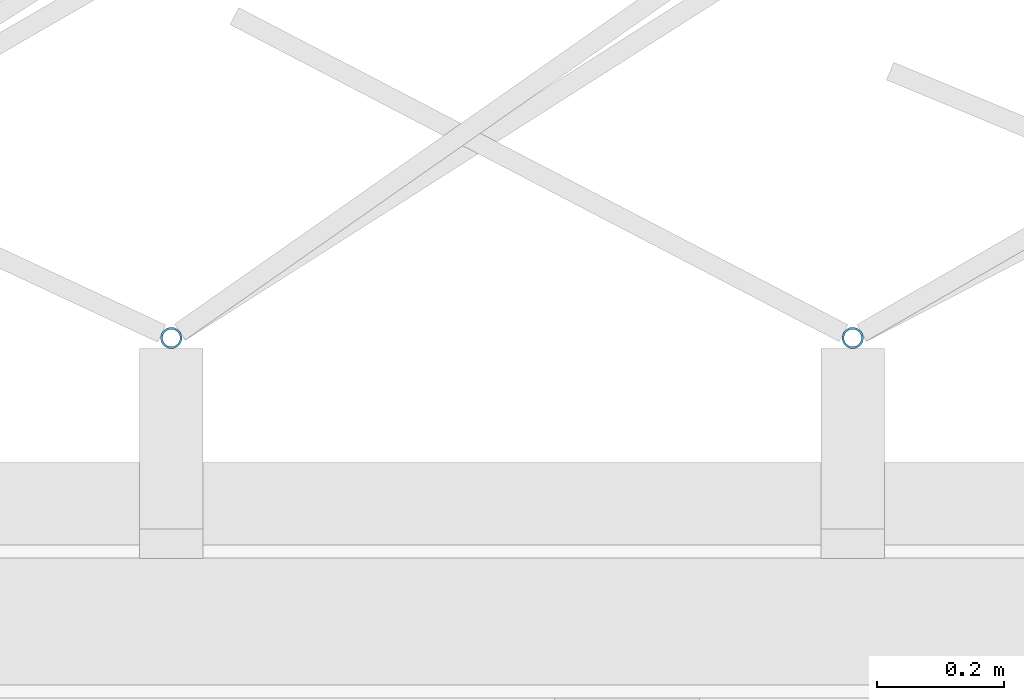
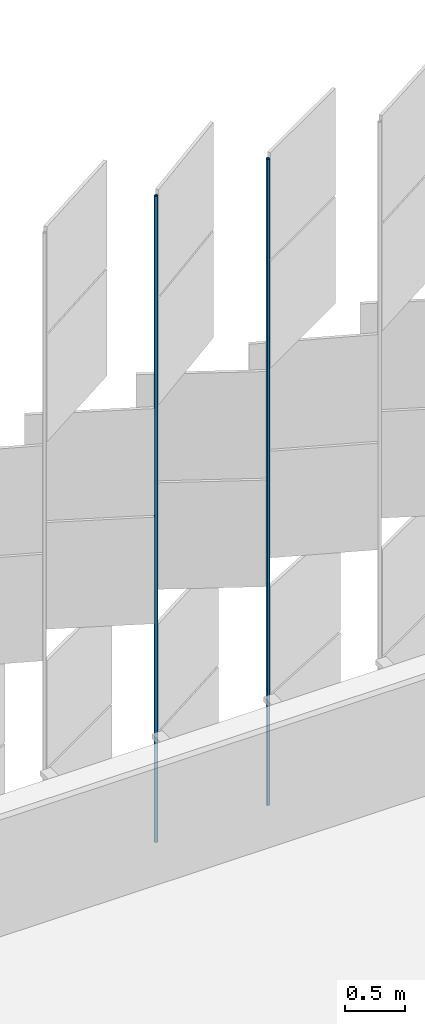
# One storey, part 364 of 483: 2 discrete accessories.
"""IFC4 building model written with IfcOpenShell, lengths in metres."""

from ifc_helpers import new_model, si_unit, direction, frame, origin, origin_2d, place, context, subcontext, project, spatial, hollow_circle, extrude, material, material_profile, profile_set, type_object, element, save


model = new_model("IFC4")

# Units and contexts
model_context = context("Model", 3, precision=1e-05, world=origin(), true_north=direction((0.0, 1.0)))
body_context = subcontext(model_context, "Body", "Model", "MODEL_VIEW")
ifc_project = project(units=[si_unit("LENGTHUNIT", "METRE"), si_unit("AREAUNIT", "SQUARE_METRE"), si_unit("VOLUMEUNIT", "CUBIC_METRE"), si_unit("PLANEANGLEUNIT", "RADIAN"), si_unit("MASSUNIT", "GRAM", prefix="KILO")], contexts=[model_context])

# Site, building, storey
site_placement = place(None, origin())
site = spatial("IfcSite", under=ifc_project, at=site_placement, CompositionType="ELEMENT")
building_placement = place(site_placement, origin())
building = spatial("IfcBuilding", under=site, at=building_placement, Name="Parallax Yard Mobility Hub", CompositionType="ELEMENT")
storey_placement = place(building_placement, frame((0.0, 0.0, 13.199951171875)))
storey = spatial("IfcBuildingStorey", under=building, at=storey_placement, Name="L04", CompositionType="ELEMENT", Elevation=13.199951171875)

# Discrete accessories
ifc_material = material(Name="Steel ASTM A500 Gr C, hot-dip galvanised", Category="steel")
ifc_material_profile = material_profile(ifc_material, hollow_circle(Radius=0.016845703125, WallThickness=0.003173828125, at=origin_2d()), Name="CHS 33.7x3.2")
ifc_profile_set = profile_set([ifc_material_profile], Name="Steel ASTM A500 Gr C, hot-dip galvanised")
discrete_accessory_type = type_object("IfcDiscreteAccessoryType", Name="Hinge post CHS 33.7x3.2", PredefinedType="BRACKET", material=ifc_profile_set)
for number, where, z_axis, x_axis, name in (
    (1, (140.355224609375, 142.800048828125, 0.0), (0.0, 0.0, 1.0), (1.0, 0.0, 0.0), "Hinge post bay 55.3 level L04"),
    (2, (139.28369140625, 142.800048828125, 0.0), (0.0, 0.0, 1.0), (1.0, 0.0, 0.0), "Hinge post bay 55.4 level L04"),
):
    element("IfcDiscreteAccessory", number, at=place(storey_placement, frame(where, z_axis=z_axis, x_axis=x_axis)), inside=storey, type_object=discrete_accessory_type, Name=name, PredefinedType="BRACKET", context=body_context, shape_type="SweptSolid", body=[
        extrude(hollow_circle(Radius=0.016845703125, WallThickness=0.003173828125, at=origin_2d()), origin(), (0.0, 0.0, 1.0), 6.550048828125),
    ])

save(model, "model.ifc")
